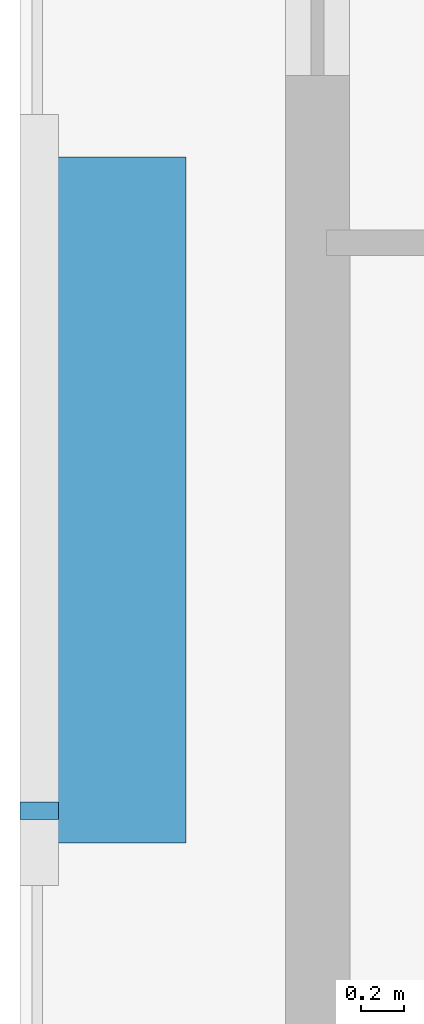
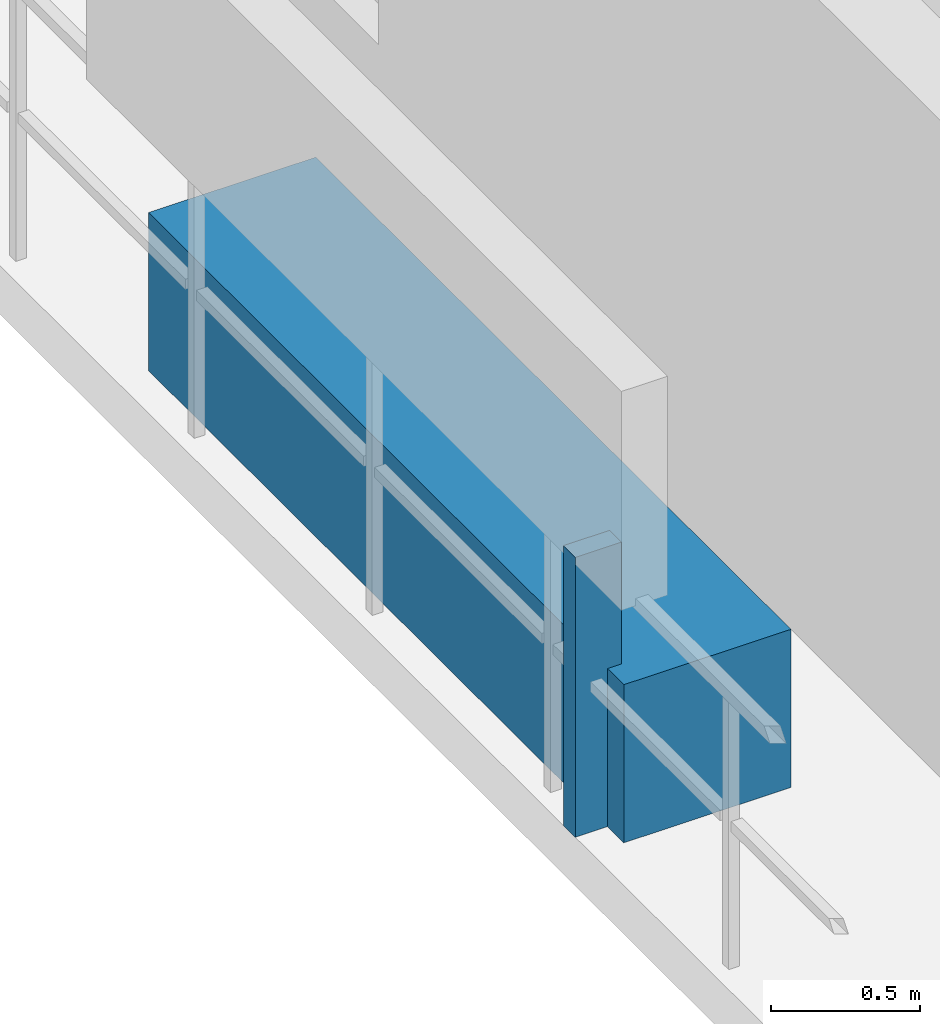
# One storey, part 27 of 32: 2 discrete accessories.
"""IFC4 building model written with IfcOpenShell, lengths in metres."""

import ifcopenshell
import ifcopenshell.guid

model = None  # the IFC model being written
_history = None  # IfcOwnerHistory: only IFC2X3 demands one
_inside = {}  # id of a spatial element -> (the spatial element, [elements in it])
_under = {}  # id of a project, library or spatial element -> (it, [spatial elements below it])
_declared = {}  # id of a project -> (the project, [libraries it declares])
_typed = {}  # id of a type object -> (the type object, [elements of that type])
_made_of = {}  # id of a material, layer set ... -> (it, [elements and type objects made of it])


def new_model(schema):
    """Start an empty IFC model of exactly this schema.

    Asked for "IFC4X3", IfcOpenShell would pick the latest addendum, in which some entities
    have other attributes; the version numbers below select the first issue.
    IFC2X3 requires an IfcOwnerHistory on every rooted entity: one is made here for all.
    """
    global model, _history
    if schema == "IFC4X3":
        model = ifcopenshell.file(schema_version=(4, 3, 0, 0))
    else:
        model = ifcopenshell.file(schema=schema)
    _inside.clear()
    _under.clear()
    _declared.clear()
    _typed.clear()
    _made_of.clear()
    _history = None
    if model.schema == "IFC2X3":
        org = make("IfcOrganization", Name="unknown")
        user = make(
            "IfcPersonAndOrganization",
            ThePerson=make("IfcPerson", FamilyName="unknown"),
            TheOrganization=org,
        )
        app = make(
            "IfcApplication",
            ApplicationDeveloper=org,
            Version="unknown",
            ApplicationFullName="unknown",
            ApplicationIdentifier="unknown",
        )
        _history = make(
            "IfcOwnerHistory",
            OwningUser=user,
            OwningApplication=app,
            ChangeAction="ADDED",
            CreationDate=0,
        )
    return model


def make(cls, **values):
    """One entity of the class cls with the attributes given. An attribute that is None is left unset."""
    return model.create_entity(
        cls, **{name: value for name, value in values.items() if value is not None}
    )


def rooted(cls, **values):
    """An entity with a GlobalId (a new one), such as an element, a storey or a relation."""
    return make(cls, GlobalId=ifcopenshell.guid.new(), OwnerHistory=_history, **values)


def si_unit(unit_type, name, prefix=None):
    """IfcSIUnit, for example si_unit("LENGTHUNIT", "METRE", prefix="MILLI")."""
    return make("IfcSIUnit", UnitType=unit_type, Prefix=prefix, Name=name)


def assignment(units):
    """IfcUnitAssignment: the units of a project."""
    return None if units is None else make("IfcUnitAssignment", Units=units)


def point(xyz):
    """IfcCartesianPoint."""
    return None if xyz is None else make("IfcCartesianPoint", Coordinates=xyz)


def direction(xyz):
    """IfcDirection."""
    return None if xyz is None else make("IfcDirection", DirectionRatios=xyz)


def frame(location, z_axis=None, x_axis=None):
    """IfcAxis2Placement3D, a coordinate frame: its origin and axes. An axis left out is left unset."""
    return make(
        "IfcAxis2Placement3D",
        Location=point(location),
        Axis=direction(z_axis),
        RefDirection=direction(x_axis),
    )


def frame_2d(location, x_axis=None):
    """IfcAxis2Placement2D, a coordinate frame in the plane: its origin and x axis."""
    return make(
        "IfcAxis2Placement2D", Location=point(location), RefDirection=direction(x_axis)
    )


def origin():
    """The frame at (0, 0, 0) with its axes left unset."""
    return frame((0.0, 0.0, 0.0))


def origin_2d():
    """The frame at (0, 0) in the plane with its x axis left unset."""
    return frame_2d((0.0, 0.0))


def place(relative_to, where):
    """IfcLocalPlacement: puts the frame where relative to a parent placement (None: the world)."""
    return make(
        "IfcLocalPlacement", PlacementRelTo=relative_to, RelativePlacement=where
    )


def context(
    kind, dimensions, precision=None, world=None, true_north=None, identifier=None
):
    """IfcGeometricRepresentationContext, for example the 3D "Model" context."""
    return make(
        "IfcGeometricRepresentationContext",
        ContextIdentifier=identifier,
        ContextType=kind,
        CoordinateSpaceDimension=dimensions,
        Precision=precision,
        WorldCoordinateSystem=world,
        TrueNorth=true_north,
    )


def subcontext(parent, identifier, kind, view, scale=None):
    """IfcGeometricRepresentationSubContext, for example "Body" below "Model"."""
    return make(
        "IfcGeometricRepresentationSubContext",
        ContextIdentifier=identifier,
        ContextType=kind,
        ParentContext=parent,
        TargetScale=scale,
        TargetView=view,
    )


def project(units=None, contexts=None):
    """IfcProject with its units and contexts."""
    return rooted(
        "IfcProject",
        Name="project",
        RepresentationContexts=contexts,
        UnitsInContext=assignment(units),
    )


def spatial(cls, under=None, at=None, **own):
    """A site, building, storey or space (cls), placed at a placement, below another one or the project."""
    s = rooted(cls, ObjectPlacement=at, **own)
    if under is not None:
        _under.setdefault(under.id(), (under, []))[1].append(s)
    return s


def profile(cls, at=None, kind="AREA", **sizes):
    """A parametric profile (cls). Its sizes go by their IFC names, for example OverallWidth=200.0."""
    return make(cls, ProfileType=kind, Position=at, **sizes)


def rectangle(**sizes):
    """IfcRectangleProfileDef."""
    return profile("IfcRectangleProfileDef", **sizes)


def extrude(swept, where, along, depth):
    """IfcExtrudedAreaSolid: the profile swept, set in the frame where, extruded along a direction by depth."""
    return make(
        "IfcExtrudedAreaSolid",
        SweptArea=swept,
        Position=where,
        ExtrudedDirection=direction(along),
        Depth=depth,
    )


def shape(context_of_items, identifier, shape_type, items):
    """IfcShapeRepresentation: the items that make up one representation, for example the "Body"."""
    return make(
        "IfcShapeRepresentation",
        ContextOfItems=context_of_items,
        RepresentationIdentifier=identifier,
        RepresentationType=shape_type,
        Items=items,
    )


def material(Name=None, Category=None):
    """IfcMaterial."""
    return make("IfcMaterial", Name=Name, Category=Category)


def made_of(thing, what):
    """Note that an element or type object is made of a material, layer set ...; save() writes the relation."""
    if what is not None:
        _made_of.setdefault(what.id(), (what, []))[1].append(thing)
    return thing


def type_object(cls, material=None, **own):
    """A type object (cls), such as IfcWallType, which elements share."""
    return made_of(rooted(cls, **own), material)


def element(
    cls,
    number,
    at=None,
    inside=None,
    cuts=None,
    type_object=None,
    material=None,
    context=None,
    identifier="Body",
    shape_type=None,
    held_by="IfcProductDefinitionShape",
    body=None,
    shapes=None,
    **own,
):
    """One element of the class cls, such as IfcWall. Its Tag is "e" and its number.

    at: its placement. inside: the storey or other place that contains it. cuts: it is an
    opening in that element (IfcRelVoidsElement). A single representation is given by context,
    identifier, shape_type and body (its items); several are given by shapes. held_by: the class
    of the entity that holds the representations. save() writes the other relations.
    """
    e = rooted(cls, Tag="e%d" % number, ObjectPlacement=at, **own)
    if body is not None:
        shapes = [shape(context, identifier, shape_type, body)]
    if shapes is not None:
        e.Representation = make(held_by, Representations=shapes)
    if inside is not None:
        _inside.setdefault(inside.id(), (inside, []))[1].append(e)
    if cuts is not None:
        rooted(
            "IfcRelVoidsElement", RelatingBuildingElement=cuts, RelatedOpeningElement=e
        )
    if type_object is not None:
        _typed.setdefault(type_object.id(), (type_object, []))[1].append(e)
    return made_of(e, material)


def aggregate(whole, parts):
    """IfcRelAggregates: a whole, such as a stair, and the parts it consists of."""
    return rooted("IfcRelAggregates", RelatingObject=whole, RelatedObjects=parts)


def save(model, path):
    """Write the relations noted so far, then the file.

    IfcRelAggregates (storeys below a building ...), IfcRelContainedInSpatialStructure (elements
    in a storey), IfcRelDefinesByType, IfcRelAssociatesMaterial and IfcRelDeclares: one each for
    every whole, place, type object, material and project.
    """
    for whole, parts in _under.values():
        aggregate(whole, parts)
    for where, things in _inside.values():
        rooted(
            "IfcRelContainedInSpatialStructure",
            RelatedElements=things,
            RelatingStructure=where,
        )
    for kind, things in _typed.values():
        rooted("IfcRelDefinesByType", RelatedObjects=things, RelatingType=kind)
    for what, things in _made_of.values():
        rooted("IfcRelAssociatesMaterial", RelatedObjects=things, RelatingMaterial=what)
    for by, libraries in _declared.values():
        rooted("IfcRelDeclares", RelatingContext=by, RelatedDefinitions=libraries)
    model.write(path)


model = new_model("IFC4")

# Units and contexts
model_context = context("Model", 3, precision=1e-05, world=origin(), true_north=direction((0.0, 1.0)))
body_context = subcontext(model_context, "Body", "Model", "MODEL_VIEW")
ifc_project = project(units=[si_unit("LENGTHUNIT", "METRE"), si_unit("AREAUNIT", "SQUARE_METRE"), si_unit("VOLUMEUNIT", "CUBIC_METRE"), si_unit("PLANEANGLEUNIT", "RADIAN"), si_unit("MASSUNIT", "GRAM", prefix="KILO")], contexts=[model_context])

# Site, building, storey
site_placement = place(None, origin())
site = spatial("IfcSite", under=ifc_project, at=site_placement, CompositionType="ELEMENT")
building_placement = place(site_placement, origin())
building = spatial("IfcBuilding", under=site, at=building_placement, Name="Thornwick Lancets Civic Towers", CompositionType="ELEMENT")
storey_placement = place(building_placement, frame((0.0, 0.0, 243.89990234375)))
storey = spatial("IfcBuildingStorey", under=building, at=storey_placement, Name="L65", CompositionType="ELEMENT", Elevation=243.89990234375)

# Discrete accessories
ifc_material_1 = material(Name="Planted terracotta greenery planter", Category="masonry")
discrete_accessory_type_1 = type_object("IfcDiscreteAccessoryType", Name="ACC_PLANTER_BOX", PredefinedType="USERDEFINED", material=ifc_material_1)
discrete_accessory_1_placement = place(storey_placement, frame((0.800048828125, 27.0, 0.000244140625), z_axis=(0.0, 0.0, 1.0), x_axis=(1.0, 0.0, 0.0)))
element("IfcDiscreteAccessory", 1, at=discrete_accessory_1_placement, inside=storey, type_object=discrete_accessory_type_1, Name="L65 Tower A Balcony Greenery Planter W", ObjectType="PLANTER", PredefinedType="USERDEFINED", context=body_context, shape_type="SweptSolid", body=[
    extrude(rectangle(XDim=0.64990234375, YDim=3.199951171875, at=origin_2d()), origin(), (0.0, 0.0, 1.0), 0.64990234375),
])
ifc_material_2 = material(Name="Stainless steel S355", Category="steel")
discrete_accessory_type_2 = type_object("IfcDiscreteAccessoryType", Name="ACC_SCREEN_BRACKET", PredefinedType="BRACKET", material=ifc_material_2)
discrete_accessory_2_placement = place(storey_placement, frame((0.43994140625, 25.550048828125, 0.000244140625), z_axis=(0.0, 0.0, 1.0), x_axis=(0.0, 1.0, 0.0)))
element("IfcDiscreteAccessory", 2, at=discrete_accessory_2_placement, inside=storey, type_object=discrete_accessory_type_2, Name="L65 Tower A Balcony Screen Stanchion Bracket W-1", PredefinedType="BRACKET", context=body_context, shape_type="SweptSolid", body=[
    extrude(rectangle(XDim=0.080078125, YDim=0.179931640625, at=origin_2d()), origin(), (0.0, 0.0, 1.0), 1.14990234375),
])

save(model, "model.ifc")
